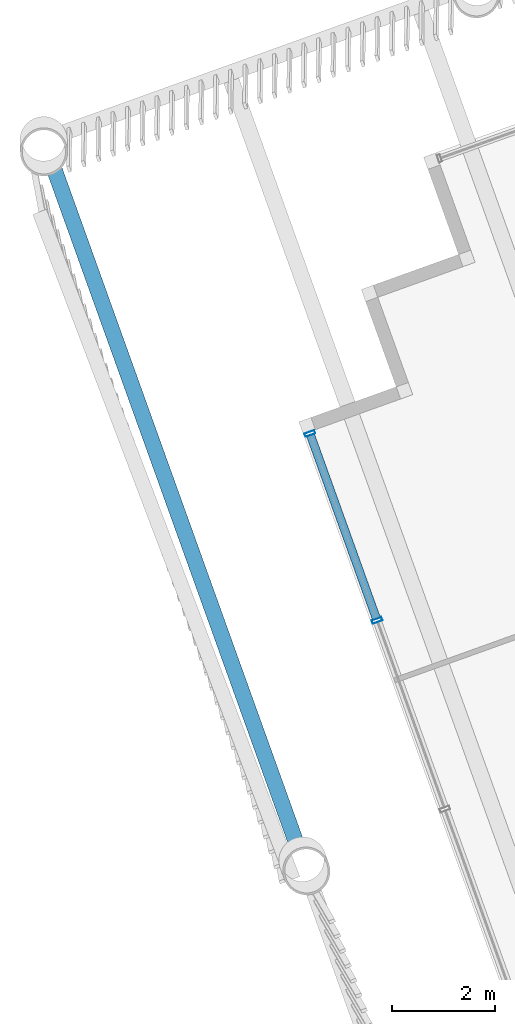
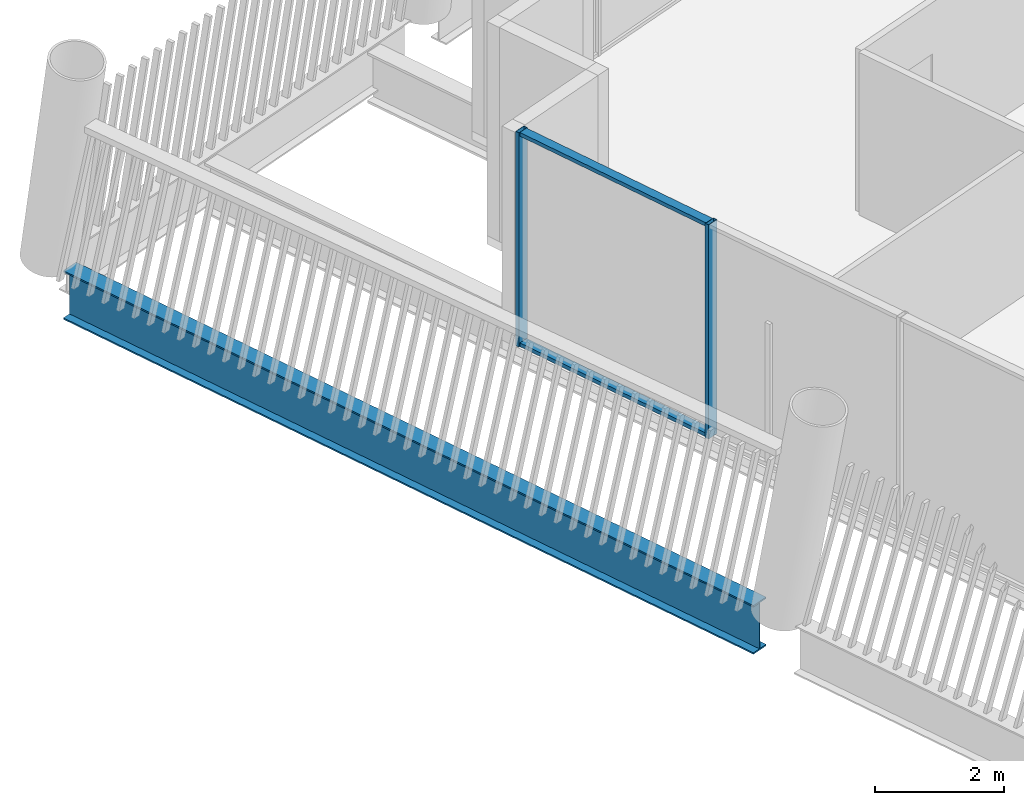
# One storey, part 4 of 28: 4 members, 1 beam, 1 element without a shape of its own.
"""IFC4 building model written with IfcOpenShell, lengths in metres."""

from ifc_helpers import new_model, si_unit, direction, frame, origin, origin_2d, place, context, subcontext, project, spatial, hollow_rectangle, i_section, extrude, material, layer, layer_set, material_profile, profile_set, type_object, element, aggregate, save


model = new_model("IFC4")

# Units and contexts
model_context = context("Model", 3, precision=1e-05, world=origin(), true_north=direction((0.0, 1.0)))
body_context = subcontext(model_context, "Body", "Model", "MODEL_VIEW")
ifc_project = project(units=[si_unit("LENGTHUNIT", "METRE"), si_unit("AREAUNIT", "SQUARE_METRE"), si_unit("VOLUMEUNIT", "CUBIC_METRE"), si_unit("PLANEANGLEUNIT", "RADIAN"), si_unit("MASSUNIT", "GRAM", prefix="KILO")], contexts=[model_context])

# Site, building, storey
site_placement = place(None, origin())
site = spatial("IfcSite", under=ifc_project, at=site_placement, CompositionType="ELEMENT")
building_placement = place(site_placement, origin())
building = spatial("IfcBuilding", under=site, at=building_placement, Name="Tarsis Ring Headquarters", CompositionType="ELEMENT")
storey_placement = place(building_placement, frame((0.0, 0.0, 365.0)))
storey = spatial("IfcBuildingStorey", under=building, at=storey_placement, Name="L86", CompositionType="ELEMENT", Elevation=365.0)

# Curtain wall, members
ifc_material_1 = material(Name="Aluminium curtain wall", Category="aluminium")
ifc_layer = layer(ifc_material_1, 0.199951171875)
ifc_layer_set = layer_set([ifc_layer], Name="Curtain wall executive tip")
curtain_wall_type = type_object("IfcCurtainWallType", Name="Curtain wall executive tip", PredefinedType="NOTDEFINED", material=ifc_layer_set)
curtain_wall_placement = place(storey_placement, origin())
curtain_wall = element("IfcCurtainWall", 1, at=curtain_wall_placement, inside=storey, type_object=curtain_wall_type, Name="Curtain wall L86-36", PredefinedType="NOTDEFINED")
ifc_material_2 = material(Name="Aluminium mullion", Category="aluminium")
ifc_material_profile_1 = material_profile(ifc_material_2, hollow_rectangle(XDim=0.199951171875, YDim=0.070068359375, WallThickness=0.0048828125, at=origin_2d()), Name="RHS 200x70x5")
ifc_profile_set_1 = profile_set([ifc_material_profile_1], Name="Aluminium mullion")
member_type_1 = type_object("IfcMemberType", Name="Curtain wall mullion executive tip RHS 200x70x5", PredefinedType="MULLION", material=ifc_profile_set_1)
member_1_placement = place(storey_placement, frame((-40.13525390625, -6.22021484375, 0.0), z_axis=(0.0, 0.0, 1.0), x_axis=(0.941117027949, 0.338080966198, 0.0)))
member_1 = element("IfcMember", 2, at=member_1_placement, type_object=member_type_1, Name="CW-E mullion 1", PredefinedType="MULLION", context=body_context, shape_type="SweptSolid", body=[
    extrude(hollow_rectangle(XDim=0.199951171875, YDim=0.070068359375, WallThickness=0.0048828125, at=origin_2d()), origin(), (0.0, 0.0, 1.0), 4.0400390625),
])
member_2_placement = place(storey_placement, frame((-38.837158203125, -9.834228515625, 0.0), z_axis=(0.0, 0.0, 1.0), x_axis=(0.941117027949, 0.338080966198, 0.0)))
member_2 = element("IfcMember", 3, at=member_2_placement, type_object=member_type_1, Name="CW-E mullion 2", PredefinedType="MULLION", context=body_context, shape_type="SweptSolid", body=[
    extrude(hollow_rectangle(XDim=0.199951171875, YDim=0.070068359375, WallThickness=0.0048828125, at=origin_2d()), origin(), (0.0, 0.0, 1.0), 4.0400390625),
])
ifc_material_3 = material(Name="Aluminium transom", Category="aluminium")
ifc_material_profile_2 = material_profile(ifc_material_3, hollow_rectangle(XDim=0.159912109375, YDim=0.070068359375, WallThickness=0.0048828125, at=origin_2d()), Name="RHS 160x70x5")
ifc_profile_set_2 = profile_set([ifc_material_profile_2], Name="Aluminium transom")
member_type_2 = type_object("IfcMemberType", Name="Curtain wall transom executive tip RHS 160x70x5", PredefinedType="USERDEFINED", material=ifc_profile_set_2)
member_3_placement = place(storey_placement, frame((-40.12353515625, -6.253173828125, 0.034912109375), z_axis=(0.338095673186, -0.941111744573, 0.0), x_axis=(0.941111744573, 0.338095673186, 0.0)))
member_3 = element("IfcMember", 4, at=member_3_placement, type_object=member_type_2, Name="CW-E transom 1.1", ObjectType="TRANSOM", PredefinedType="USERDEFINED", context=body_context, shape_type="SweptSolid", body=[
    extrude(hollow_rectangle(XDim=0.159912109375, YDim=0.070068359375, WallThickness=0.0048828125, at=origin_2d()), origin(), (0.0, 0.0, 1.0), 3.77001953125),
])
member_4_placement = place(storey_placement, frame((-40.12353515625, -6.253173828125, 4.0048828125), z_axis=(0.338095673186, -0.941111744573, 0.0), x_axis=(0.941111744573, 0.338095673186, 0.0)))
member_4 = element("IfcMember", 5, at=member_4_placement, type_object=member_type_2, Name="CW-E transom 1.2", ObjectType="TRANSOM", PredefinedType="USERDEFINED", context=body_context, shape_type="SweptSolid", body=[
    extrude(hollow_rectangle(XDim=0.159912109375, YDim=0.070068359375, WallThickness=0.0048828125, at=origin_2d()), origin(), (0.0, 0.0, 1.0), 3.77001953125),
])
aggregate(curtain_wall, [member_1, member_2, member_3, member_4])

# Beam
ifc_material_4 = material(Name="Structural steel S355", Category="steel")
ifc_material_profile_3 = material_profile(ifc_material_4, i_section(OverallWidth=0.3046875, OverallDepth=0.91943359375, WebThickness=0.017333984375, FlangeThickness=0.02783203125, at=origin_2d()), Name="W36x170")
ifc_profile_set_3 = profile_set([ifc_material_profile_3], Name="Structural steel S355")
beam_type = type_object("IfcBeamType", Name="XG Ring girder W36x170", PredefinedType="BEAM", material=ifc_profile_set_3)
beam_placement = place(storey_placement, frame((-45.144287109375, -0.928466796875, -0.459716796875), z_axis=(0.338078594059, -0.941117880098, 0.0), x_axis=(0.941117880098, 0.338078594059, 0.0)))
element("IfcBeam", 6, at=beam_placement, inside=storey, type_object=beam_type, Name="Ring girder XG4", PredefinedType="BEAM", context=body_context, shape_type="SweptSolid", body=[
    extrude(i_section(OverallWidth=0.3046875, OverallDepth=0.91943359375, WebThickness=0.017333984375, FlangeThickness=0.02783203125, at=origin_2d()), origin(), (0.0, 0.0, 1.0), 13.97705078125),
])

save(model, "model.ifc")
